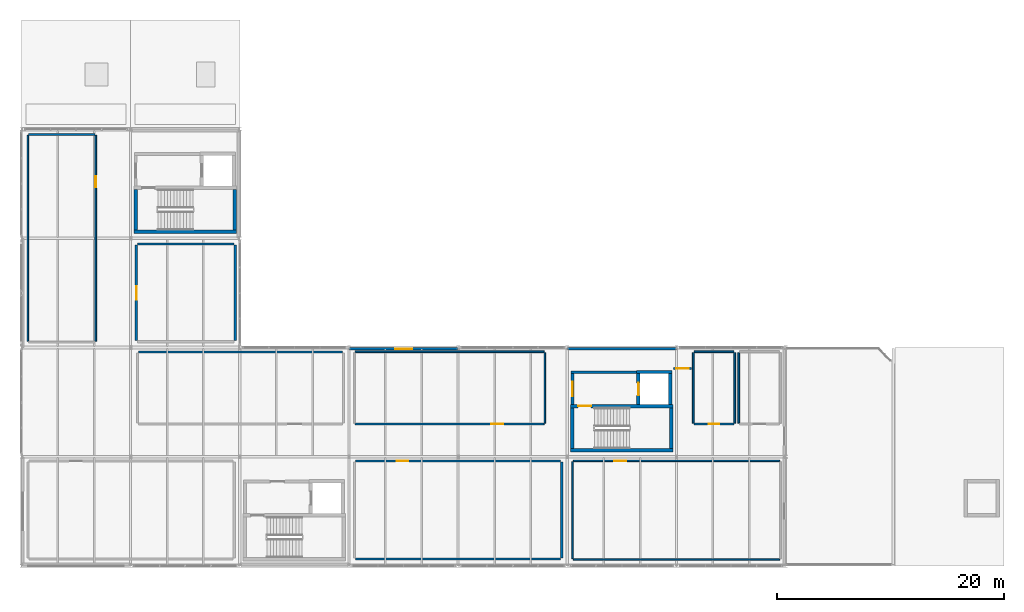
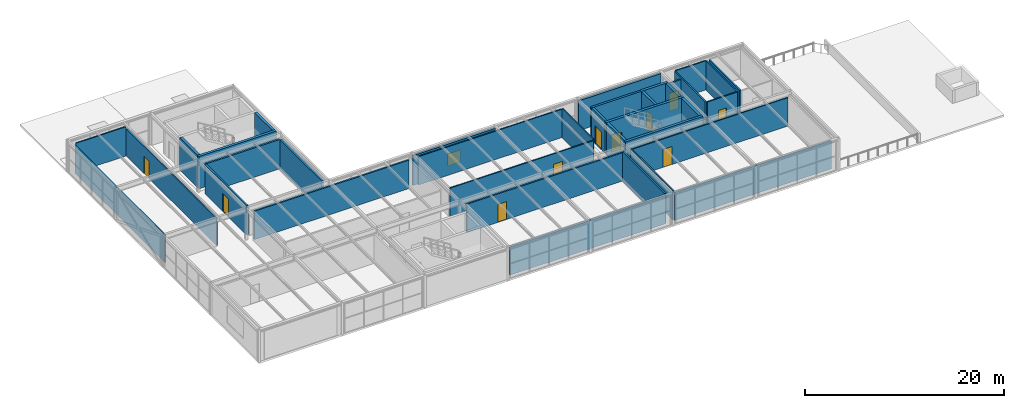
# One storey, part 35 of 39: 36 walls, 10 doors, 1 window, 11 openings.
"""IFC4 building model written with IfcOpenShell, lengths in metres."""

from ifc_helpers import new_model, si_unit, direction, frame, frame_2d, origin, place, context, subcontext, project, spatial, rectangle, extrude, material, layer, layer_set, type_object, element, fill, save


model = new_model("IFC4")

# Units and contexts
model_context = context("Model", 3, precision=1e-05, world=origin(), true_north=direction((0.0, 1.0)))
body_context = subcontext(model_context, "Body", "Model", "MODEL_VIEW")
ifc_project = project(units=[si_unit("LENGTHUNIT", "METRE"), si_unit("AREAUNIT", "SQUARE_METRE"), si_unit("VOLUMEUNIT", "CUBIC_METRE"), si_unit("PLANEANGLEUNIT", "RADIAN"), si_unit("MASSUNIT", "GRAM", prefix="KILO")], contexts=[model_context])

# Site, building, storey
site_placement = place(None, origin())
site = spatial("IfcSite", under=ifc_project, at=site_placement, CompositionType="ELEMENT")
building_placement = place(site_placement, origin())
building = spatial("IfcBuilding", under=site, at=building_placement, Name="Coralgate Yard Interchange", CompositionType="ELEMENT")
storey_placement = place(building_placement, frame((0.0, 0.0, 18.89990234375)))
storey = spatial("IfcBuildingStorey", under=building, at=storey_placement, Name="L04", CompositionType="ELEMENT", Elevation=18.89990234375)

# Walls
ifc_material_1 = material(Name="Concrete C40/50", Category="concrete")
ifc_layer_1 = layer(ifc_material_1, 0.300048828125)
ifc_layer_set_1 = layer_set([ifc_layer_1], Name="Concrete C40/50")
wall_type_1 = type_object("IfcWallType", Name="WAL-CW300", PredefinedType="SHEAR", material=ifc_layer_set_1)
wall_1_placement = place(storey_placement, frame((9.89990234375, 29.3701171875, 0.0), z_axis=(0.0, 0.0, 1.0), x_axis=(1.0, 0.0, 0.0)))
element("IfcWall", 1, at=wall_1_placement, inside=storey, type_object=wall_type_1, Name="C1 L04 stair south shear wall", PredefinedType="SHEAR", context=body_context, shape_type="SweptSolid", body=[
    extrude(rectangle(XDim=9.0, YDim=0.300048828125, at=frame_2d((4.5, 0.0))), origin(), (0.0, 0.0, 1.0), 3.9501953125),
])
for number, where, z_axis, x_axis, name in (
    (2, (10.050048828125, 29.52001953125, 0.0), (0.0, 0.0, 1.0), (0.0, 1.0, 0.0), "C1 L04 stair west shear wall"),
    (3, (18.75, 33.10009765625, 0.0), (0.0, 0.0, 1.0), (0.0, -1.0, 0.0), "C1 L04 stair east shear wall"),
):
    element("IfcWall", number, at=place(storey_placement, frame(where, z_axis=z_axis, x_axis=x_axis)), inside=storey, type_object=wall_type_1, Name=name, PredefinedType="SHEAR", context=body_context, shape_type="SweptSolid", body=[
        extrude(rectangle(XDim=3.580078125, YDim=0.300048828125, at=frame_2d((1.7900390625, 0.0))), origin(), (0.0, 0.0, 1.0), 3.9501953125),
    ])
wall_2_placement = place(storey_placement, frame((48.300048828125, 10.169921875, 0.0), z_axis=(0.0, 0.0, 1.0), x_axis=(1.0, 0.0, 0.0)))
element("IfcWall", 4, at=wall_2_placement, inside=storey, type_object=wall_type_1, Name="C2 L04 stair south shear wall", PredefinedType="SHEAR", context=body_context, shape_type="SweptSolid", body=[
    extrude(rectangle(XDim=9.0, YDim=0.300048828125, at=frame_2d((4.5, 0.0))), origin(), (0.0, 0.0, 1.0), 3.9501953125),
])

# Wall, opening, door
wall_3_placement = place(storey_placement, frame((57.300048828125, 14.050048828125, 0.0), z_axis=(0.0, 0.0, 1.0), x_axis=(-1.0, 0.0, 0.0)))
wall_3 = element("IfcWall", 5, at=wall_3_placement, inside=storey, type_object=wall_type_1, Name="C2 L04 stair north shear wall", PredefinedType="SHEAR", context=body_context, shape_type="SweptSolid", body=[
    extrude(rectangle(XDim=9.0, YDim=0.300048828125, at=frame_2d((4.5, 0.0))), origin(), (0.0, 0.0, 1.0), 3.9501953125),
])
opening_1_placement = place(wall_3_placement, frame((7.199951171875, 0.0, 0.0)))
opening_1 = element("IfcOpeningElement", 6, at=opening_1_placement, cuts=wall_3, Name="Opening FD-1B", PredefinedType="OPENING", context=body_context, shape_type="SweptSolid", body=[
    extrude(rectangle(XDim=1.14990234375, YDim=2.14990234375, at=frame_2d((0.574951171875, 1.074951171875))), frame((0.0, 0.159912109375, 0.0), z_axis=(0.0, -1.0, 0.0), x_axis=(1.0, 0.0, 0.0)), (0.0, 0.0, 1.0), 0.320068359375),
])
ifc_material_2 = material(Name="Powder-coated steel fire door assembly", Category="steel")
door_type_1 = type_object("IfcDoorType", Name="DOR-FD-1B", OperationType="NOTDEFINED", PredefinedType="DOOR", material=ifc_material_2)
door_1_placement = place(opening_1_placement, frame((1.14990234375, 0.0, 0.0), z_axis=(0.0, 0.0, 1.0), x_axis=(-1.0, 0.0, 0.0)))
door_1 = element("IfcDoor", 7, at=door_1_placement, inside=storey, type_object=door_type_1, Name="C2 L04 stair fire door", OperationType="SINGLE_SWING_RIGHT", OverallHeight=2.14990234375, OverallWidth=1.14990234375, PredefinedType="DOOR", context=body_context, shape_type="SweptSolid", body=[
    extrude(rectangle(XDim=1.14990234375, YDim=2.14990234375, at=frame_2d((0.574951171875, 1.074951171875))), frame((0.0, 0.02490234375, 0.0), z_axis=(0.0, -1.0, 0.0), x_axis=(1.0, 0.0, 0.0)), (0.0, 0.0, 1.0), 0.050048828125),
])
fill(opening_1, door_1)

# Walls
for number, where, z_axis, x_axis, name in (
    (8, (48.449951171875, 10.320068359375, 0.0), (0.0, 0.0, 1.0), (0.0, 1.0, 0.0), "C2 L04 stair west shear wall"),
    (9, (57.14990234375, 13.89990234375, 0.0), (0.0, 0.0, 1.0), (0.0, -1.0, 0.0), "C2 L04 stair east shear wall"),
):
    element("IfcWall", number, at=place(storey_placement, frame(where, z_axis=z_axis, x_axis=x_axis)), inside=storey, type_object=wall_type_1, Name=name, PredefinedType="SHEAR", context=body_context, shape_type="SweptSolid", body=[
        extrude(rectangle(XDim=3.579833984375, YDim=0.300048828125, at=frame_2d((1.7900390625, 0.0))), origin(), (0.0, 0.0, 1.0), 3.9501953125),
    ])

# Wall, opening, door
wall_4_placement = place(storey_placement, frame((54.25, 16.89990234375, 0.0), z_axis=(0.0, 0.0, 1.0), x_axis=(0.0, -1.0, 0.0)))
wall_4 = element("IfcWall", 10, at=wall_4_placement, inside=storey, type_object=wall_type_1, Name="C2 L04 lift front shear wall", PredefinedType="SHEAR", context=body_context, shape_type="SweptSolid", body=[
    extrude(rectangle(XDim=2.699951171875, YDim=0.300048828125, at=frame_2d((1.35009765625, 0.0))), origin(), (0.0, 0.0, 1.0), 3.9501953125),
])
opening_2_placement = place(wall_4_placement, frame((0.800048828125, 0.0, 0.0)))
opening_2 = element("IfcOpeningElement", 11, at=opening_2_placement, cuts=wall_4, Name="Opening LD-1", PredefinedType="OPENING", context=body_context, shape_type="SweptSolid", body=[
    extrude(rectangle(XDim=1.10009765625, YDim=2.10009765625, at=frame_2d((0.550048828125, 1.050048828125))), frame((0.0, 0.159912109375, 0.0), z_axis=(0.0, -1.0, 0.0), x_axis=(1.0, 0.0, 0.0)), (0.0, 0.0, 1.0), 0.320068359375),
])
ifc_material_3 = material(Name="Brushed stainless steel firefighting lift landing door", Category="steel")
door_type_2 = type_object("IfcDoorType", Name="DOR-LD-1", OperationType="DOUBLE_DOOR_SLIDING", PredefinedType="DOOR", material=ifc_material_3)
door_2_placement = place(opening_2_placement, frame((1.10009765625, 0.0, 0.0), z_axis=(0.0, 0.0, 1.0), x_axis=(-1.0, 0.0, 0.0)))
door_2 = element("IfcDoor", 12, at=door_2_placement, inside=storey, type_object=door_type_2, Name="FFL-02 L04 sliding lift landing door", OperationType="DOUBLE_DOOR_SLIDING", OverallHeight=2.10009765625, OverallWidth=1.10009765625, PredefinedType="DOOR", context=body_context, shape_type="SweptSolid", body=[
    extrude(rectangle(XDim=1.10009765625, YDim=2.10009765625, at=frame_2d((0.550048828125, 1.050048828125))), frame((0.0, 0.02490234375, 0.0), z_axis=(0.0, -1.0, 0.0), x_axis=(1.0, 0.0, 0.0)), (0.0, 0.0, 1.0), 0.050048828125),
])
fill(opening_2, door_2)

# Walls
wall_5_placement = place(storey_placement, frame((57.050048828125, 14.199951171875, 0.0), z_axis=(0.0, 0.0, 1.0), x_axis=(0.0, 1.0, 0.0)))
element("IfcWall", 13, at=wall_5_placement, inside=storey, type_object=wall_type_1, Name="C2 L04 lift rear shear wall", PredefinedType="SHEAR", context=body_context, shape_type="SweptSolid", body=[
    extrude(rectangle(XDim=2.699951171875, YDim=0.300048828125, at=frame_2d((1.35009765625, 0.0))), origin(), (0.0, 0.0, 1.0), 3.9501953125),
])
wall_6_placement = place(storey_placement, frame((54.10009765625, 17.050048828125, 0.0), z_axis=(0.0, 0.0, 1.0), x_axis=(1.0, 0.0, 0.0)))
element("IfcWall", 14, at=wall_6_placement, inside=storey, type_object=wall_type_1, Name="C2 L04 lift north shear wall", PredefinedType="SHEAR", context=body_context, shape_type="SweptSolid", body=[
    extrude(rectangle(XDim=3.099853515625, YDim=0.300048828125, at=frame_2d((1.5498046875, 0.0))), origin(), (0.0, 0.0, 1.0), 3.9501953125),
])

# Wall, opening, window
ifc_material_4 = material(Name="Insulated rendered concrete blockwork", Category="masonry")
ifc_layer_2 = layer(ifc_material_4, 0.239990234375)
ifc_layer_set_2 = layer_set([ifc_layer_2], Name="Insulated rendered concrete blockwork")
wall_type_2 = type_object("IfcWallType", Name="WAL-EW-240", PredefinedType="SOLIDWALL", material=ifc_layer_set_2)
wall_7_placement = place(storey_placement, frame((28.820068359375, 19.080078125, 0.0), z_axis=(0.0, 0.0, 1.0), x_axis=(1.0, 0.0, 0.0)))
wall_7 = element("IfcWall", 15, at=wall_7_placement, inside=storey, type_object=wall_type_2, Name="L04 exterior coastal wall N 3-1", PredefinedType="SOLIDWALL", context=body_context, shape_type="SweptSolid", body=[
    extrude(rectangle(XDim=9.559814453125, YDim=0.239990234375, at=frame_2d((4.77978515625, 0.0))), origin(), (0.0, 0.0, 1.0), 3.66015625),
])
opening_3_placement = place(wall_7_placement, frame((4.030029296875, 0.0, 0.89990234375)))
opening_3 = element("IfcOpeningElement", 16, at=opening_3_placement, cuts=wall_7, Name="Opening W-07", PredefinedType="OPENING", context=body_context, shape_type="SweptSolid", body=[
    extrude(rectangle(XDim=1.5, YDim=1.5, at=frame_2d((0.75, 0.75))), frame((0.0, 0.1298828125, 0.0), z_axis=(0.0, -1.0, 0.0), x_axis=(1.0, 0.0, 0.0)), (0.0, 0.0, 1.0), 0.260009765625),
])
ifc_material_5 = material(Name="Thermally broken anodised aluminium and solar-control low-E glass", Category="aluminium")
window_type = type_object("IfcWindowType", Name="WIN-W-07", PartitioningType="SINGLE_PANEL", PredefinedType="WINDOW", material=ifc_material_5)
window_placement = place(opening_3_placement, origin())
window = element("IfcWindow", 17, at=window_placement, inside=storey, type_object=window_type, Name="L04 coastal facade window N-3-1", OverallHeight=1.5, OverallWidth=1.5, PartitioningType="SINGLE_PANEL", PredefinedType="WINDOW", context=body_context, shape_type="SweptSolid", body=[
    extrude(rectangle(XDim=1.5, YDim=1.5, at=frame_2d((0.75, 0.75))), frame((0.0, 0.030029296875, 0.0), z_axis=(0.0, -1.0, 0.0), x_axis=(1.0, 0.0, 0.0)), (0.0, 0.0, 1.0), 0.06005859375),
])
fill(opening_3, window)

# Walls
wall_8_placement = place(storey_placement, frame((48.02001953125, 19.080078125, 0.0), z_axis=(0.0, 0.0, 1.0), x_axis=(1.0, 0.0, 0.0)))
element("IfcWall", 18, at=wall_8_placement, inside=storey, type_object=wall_type_2, Name="L04 exterior coastal wall N 5-1", PredefinedType="SOLIDWALL", context=body_context, shape_type="SweptSolid", body=[
    extrude(rectangle(XDim=9.56005859375, YDim=0.239990234375, at=frame_2d((4.780029296875, 0.0))), origin(), (0.0, 0.0, 1.0), 3.66015625),
])
ifc_material_6 = material(Name="Acoustic twin-stud office partition")
ifc_layer_3 = layer(ifc_material_6, 0.139892578125)
ifc_layer_set_3 = layer_set([ifc_layer_3], Name="Acoustic twin-stud office partition")
wall_type_3 = type_object("IfcWallType", Name="WAL-PW-140", PredefinedType="PARTITIONING", material=ifc_layer_set_3)
wall_9_placement = place(storey_placement, frame((66.659912109375, 0.570068359375, 0.0), z_axis=(0.0, 0.0, 1.0), x_axis=(-1.0, 0.0, 0.0)))
element("IfcWall", 19, at=wall_9_placement, inside=storey, type_object=wall_type_3, Name="Signalling and Safety Training Classroom 01 partition S", PredefinedType="PARTITIONING", context=body_context, shape_type="SweptSolid", body=[
    extrude(rectangle(XDim=18.119873046875, YDim=0.139892578125, at=frame_2d((9.06005859375, 0.0))), origin(), (0.0, 0.0, 1.0), 3.483154296875),
])

# Wall, opening, door
wall_10_placement = place(storey_placement, frame((48.5400390625, 9.22998046875, 0.0), z_axis=(0.0, 0.0, 1.0), x_axis=(1.0, 0.0, 0.0)))
wall_10 = element("IfcWall", 20, at=wall_10_placement, inside=storey, type_object=wall_type_3, Name="Signalling and Safety Training Classroom 01 partition N", PredefinedType="PARTITIONING", context=body_context, shape_type="SweptSolid", body=[
    extrude(rectangle(XDim=18.119873046875, YDim=0.139892578125, at=frame_2d((9.06005859375, 0.0))), origin(), (0.0, 0.0, 1.0), 3.483154296875),
])
opening_4_placement = place(wall_10_placement, frame((3.60009765625, 0.0, 0.0)))
opening_4 = element("IfcOpeningElement", 21, at=opening_4_placement, cuts=wall_10, Name="Opening ID-03", PredefinedType="OPENING", context=body_context, shape_type="SweptSolid", body=[
    extrude(rectangle(XDim=1.050048828125, YDim=2.199951171875, at=frame_2d((0.52490234375, 1.10009765625))), frame((0.0, 0.079833984375, 0.0), z_axis=(0.0, -1.0, 0.0), x_axis=(1.0, 0.0, 0.0)), (0.0, 0.0, 1.0), 0.159912109375),
])
ifc_material_7 = material(Name="Acoustic laminated timber classroom door", Category="wood")
door_type_3 = type_object("IfcDoorType", Name="DOR-ID-03", OperationType="NOTDEFINED", PredefinedType="DOOR", material=ifc_material_7)
door_3_placement = place(opening_4_placement, origin())
door_3 = element("IfcDoor", 22, at=door_3_placement, inside=storey, type_object=door_type_3, Name="Signalling and Safety Training Classroom 01 door", OperationType="SINGLE_SWING_RIGHT", OverallHeight=2.199951171875, OverallWidth=1.050048828125, PredefinedType="DOOR", context=body_context, shape_type="SweptSolid", body=[
    extrude(rectangle(XDim=1.050048828125, YDim=2.199951171875, at=frame_2d((0.52490234375, 1.10009765625))), frame((0.0, 0.02490234375, 0.0), z_axis=(0.0, -1.0, 0.0), x_axis=(1.0, 0.0, 0.0)), (0.0, 0.0, 1.0), 0.050048828125),
])
fill(opening_4, door_3)

# Wall
wall_11_placement = place(storey_placement, frame((48.469970703125, 0.639892578125, 0.0), z_axis=(0.0, 0.0, 1.0), x_axis=(0.0, 1.0, 0.0)))
element("IfcWall", 23, at=wall_11_placement, inside=storey, type_object=wall_type_3, Name="Signalling and Safety Training Classroom 01 partition W", PredefinedType="PARTITIONING", context=body_context, shape_type="SweptSolid", body=[
    extrude(rectangle(XDim=8.52001953125, YDim=0.139892578125, at=frame_2d((4.260009765625, 0.0))), origin(), (0.0, 0.0, 1.0), 3.590087890625),
])

# Wall, opening, door
wall_12_placement = place(storey_placement, frame((45.9599609375, 12.469970703125, 0.0), z_axis=(0.0, 0.0, 1.0), x_axis=(-1.0, 0.0, 0.0)))
wall_12 = element("IfcWall", 24, at=wall_12_placement, inside=storey, type_object=wall_type_3, Name="Operations Training Classroom 02 partition S", PredefinedType="PARTITIONING", context=body_context, shape_type="SweptSolid", body=[
    extrude(rectangle(XDim=16.619873046875, YDim=0.139892578125, at=frame_2d((8.31005859375, 0.0))), origin(), (0.0, 0.0, 1.0), 3.483154296875),
])
opening_5_placement = place(wall_12_placement, frame((3.60009765625, 0.0, 0.0)))
opening_5 = element("IfcOpeningElement", 25, at=opening_5_placement, cuts=wall_12, Name="Opening ID-03", PredefinedType="OPENING", context=body_context, shape_type="SweptSolid", body=[
    extrude(rectangle(XDim=1.050048828125, YDim=2.199951171875, at=frame_2d((0.52490234375, 1.10009765625))), frame((0.0, 0.079833984375, 0.0), z_axis=(0.0, -1.0, 0.0), x_axis=(1.0, 0.0, 0.0)), (0.0, 0.0, 1.0), 0.159912109375),
])
door_4_placement = place(opening_5_placement, frame((1.050048828125, 0.0, 0.0), z_axis=(0.0, 0.0, 1.0), x_axis=(-1.0, 0.0, 0.0)))
door_4 = element("IfcDoor", 26, at=door_4_placement, inside=storey, type_object=door_type_3, Name="Operations Training Classroom 02 door", OperationType="SINGLE_SWING_LEFT", OverallHeight=2.199951171875, OverallWidth=1.050048828125, PredefinedType="DOOR", context=body_context, shape_type="SweptSolid", body=[
    extrude(rectangle(XDim=1.050048828125, YDim=2.199951171875, at=frame_2d((0.52490234375, 1.10009765625))), frame((0.0, 0.02490234375, 0.0), z_axis=(0.0, -1.0, 0.0), x_axis=(1.0, 0.0, 0.0)), (0.0, 0.0, 1.0), 0.050048828125),
])
fill(opening_5, door_4)

# Walls
wall_13_placement = place(storey_placement, frame((29.340087890625, 18.830078125, 0.0), z_axis=(0.0, 0.0, 1.0), x_axis=(1.0, 0.0, 0.0)))
element("IfcWall", 27, at=wall_13_placement, inside=storey, type_object=wall_type_3, Name="Operations Training Classroom 02 partition N", PredefinedType="PARTITIONING", context=body_context, shape_type="SweptSolid", body=[
    extrude(rectangle(XDim=16.619873046875, YDim=0.139892578125, at=frame_2d((8.31005859375, 0.0))), origin(), (0.0, 0.0, 1.0), 3.483154296875),
])
wall_14_placement = place(storey_placement, frame((46.030029296875, 18.760009765625, 0.0), z_axis=(0.0, 0.0, 1.0), x_axis=(0.0, -1.0, 0.0)))
element("IfcWall", 28, at=wall_14_placement, inside=storey, type_object=wall_type_3, Name="Operations Training Classroom 02 partition E", PredefinedType="PARTITIONING", context=body_context, shape_type="SweptSolid", body=[
    extrude(rectangle(XDim=6.219970703125, YDim=0.139892578125, at=frame_2d((3.10986328125, 0.0))), origin(), (0.0, 0.0, 1.0), 3.590087890625),
])
wall_15_placement = place(storey_placement, frame((0.639892578125, 37.929931640625, 0.0), z_axis=(0.0, 0.0, 1.0), x_axis=(1.0, 0.0, 0.0)))
element("IfcWall", 29, at=wall_15_placement, inside=storey, type_object=wall_type_3, Name="Transit Technical Library and Study Room partition N", PredefinedType="PARTITIONING", context=body_context, shape_type="SweptSolid", body=[
    extrude(rectangle(XDim=5.820068359375, YDim=0.139892578125, at=frame_2d((2.91015625, 0.0))), origin(), (0.0, 0.0, 1.0), 3.590087890625),
])
wall_16_placement = place(storey_placement, frame((0.570068359375, 19.739990234375, 0.0), z_axis=(0.0, 0.0, 1.0), x_axis=(0.0, 1.0, 0.0)))
element("IfcWall", 30, at=wall_16_placement, inside=storey, type_object=wall_type_3, Name="Transit Technical Library and Study Room partition W", PredefinedType="PARTITIONING", context=body_context, shape_type="SweptSolid", body=[
    extrude(rectangle(XDim=18.1201171875, YDim=0.139892578125, at=frame_2d((9.06005859375, 0.0))), origin(), (0.0, 0.0, 1.0), 3.33251953125),
])

# Wall, opening, door
wall_17_placement = place(storey_placement, frame((6.530029296875, 37.860107421875, 0.0), z_axis=(0.0, 0.0, 1.0), x_axis=(0.0, -1.0, 0.0)))
wall_17 = element("IfcWall", 31, at=wall_17_placement, inside=storey, type_object=wall_type_3, Name="Transit Technical Library and Study Room partition E", PredefinedType="PARTITIONING", context=body_context, shape_type="SweptSolid", body=[
    extrude(rectangle(XDim=18.1201171875, YDim=0.139892578125, at=frame_2d((9.06005859375, 0.0))), origin(), (0.0, 0.0, 1.0), 3.33251953125),
])
opening_6_placement = place(wall_17_placement, frame((3.60009765625, 0.0, 0.0)))
opening_6 = element("IfcOpeningElement", 32, at=opening_6_placement, cuts=wall_17, Name="Opening ID-01", PredefinedType="OPENING", context=body_context, shape_type="SweptSolid", body=[
    extrude(rectangle(XDim=0.949951171875, YDim=2.14990234375, at=frame_2d((0.47509765625, 1.074951171875))), frame((0.0, 0.079833984375, 0.0), z_axis=(0.0, -1.0, 0.0), x_axis=(1.0, 0.0, 0.0)), (0.0, 0.0, 1.0), 0.159912109375),
])
ifc_material_8 = material(Name="Solid-core hardwood timber office door", Category="wood")
door_type_4 = type_object("IfcDoorType", Name="DOR-ID-01", OperationType="NOTDEFINED", PredefinedType="DOOR", material=ifc_material_8)
door_5_placement = place(opening_6_placement, frame((0.949951171875, 0.0, 0.0), z_axis=(0.0, 0.0, 1.0), x_axis=(-1.0, 0.0, 0.0)))
door_5 = element("IfcDoor", 33, at=door_5_placement, inside=storey, type_object=door_type_4, Name="Transit Technical Library and Study Room door", OperationType="SINGLE_SWING_RIGHT", OverallHeight=2.14990234375, OverallWidth=0.949951171875, PredefinedType="DOOR", context=body_context, shape_type="SweptSolid", body=[
    extrude(rectangle(XDim=0.949951171875, YDim=2.14990234375, at=frame_2d((0.47509765625, 1.074951171875))), frame((0.0, 0.02490234375, 0.0), z_axis=(0.0, -1.0, 0.0), x_axis=(1.0, 0.0, 0.0)), (0.0, 0.0, 1.0), 0.050048828125),
])
fill(opening_6, door_5)

ifc_material_9 = material(Name="Moisture-resistant masonry washroom wall", Category="masonry")
ifc_layer_4 = layer(ifc_material_9, 0.14990234375)
ifc_layer_set_4 = layer_set([ifc_layer_4], Name="Moisture-resistant masonry washroom wall")
wall_type_4 = type_object("IfcWallType", Name="WAL-PW-150", PredefinedType="PLUMBINGWALL", material=ifc_layer_set_4)
wall_18_placement = place(storey_placement, frame((62.64990234375, 12.47509765625, 0.0), z_axis=(0.0, 0.0, 1.0), x_axis=(-1.0, 0.0, 0.0)))
wall_18 = element("IfcWall", 34, at=wall_18_placement, inside=storey, type_object=wall_type_4, Name="L04 Training Floor Washroom partition S", PredefinedType="PLUMBINGWALL", context=body_context, shape_type="SweptSolid", body=[
    extrude(rectangle(XDim=3.5, YDim=0.14990234375, at=frame_2d((1.75, 0.0))), origin(), (0.0, 0.0, 1.0), 3.590087890625),
])
opening_7_placement = place(wall_18_placement, frame((1.300048828125, 0.0, 0.0)))
opening_7 = element("IfcOpeningElement", 35, at=opening_7_placement, cuts=wall_18, Name="Opening ID-10", PredefinedType="OPENING", context=body_context, shape_type="SweptSolid", body=[
    extrude(rectangle(XDim=0.89990234375, YDim=2.10009765625, at=frame_2d((0.449951171875, 1.050048828125))), frame((0.0, 0.0849609375, 0.0), z_axis=(0.0, -1.0, 0.0), x_axis=(1.0, 0.0, 0.0)), (0.0, 0.0, 1.0), 0.169921875),
])
ifc_material_10 = material(Name="Moisture-resistant laminate washroom door")
door_type_5 = type_object("IfcDoorType", Name="DOR-ID-10", OperationType="NOTDEFINED", PredefinedType="DOOR", material=ifc_material_10)
door_6_placement = place(opening_7_placement, frame((0.89990234375, 0.0, 0.0), z_axis=(0.0, 0.0, 1.0), x_axis=(-1.0, 0.0, 0.0)))
door_6 = element("IfcDoor", 36, at=door_6_placement, inside=storey, type_object=door_type_5, Name="L04 Training Floor Washroom door", OperationType="SINGLE_SWING_LEFT", OverallHeight=2.10009765625, OverallWidth=0.89990234375, PredefinedType="DOOR", context=body_context, shape_type="SweptSolid", body=[
    extrude(rectangle(XDim=0.89990234375, YDim=2.10009765625, at=frame_2d((0.449951171875, 1.050048828125))), frame((0.0, 0.02490234375, 0.0), z_axis=(0.0, -1.0, 0.0), x_axis=(1.0, 0.0, 0.0)), (0.0, 0.0, 1.0), 0.050048828125),
])
fill(opening_7, door_6)

# Walls
wall_19_placement = place(storey_placement, frame((59.14990234375, 18.824951171875, 0.0), z_axis=(0.0, 0.0, 1.0), x_axis=(1.0, 0.0, 0.0)))
element("IfcWall", 37, at=wall_19_placement, inside=storey, type_object=wall_type_4, Name="L04 Training Floor Washroom partition N", PredefinedType="PLUMBINGWALL", context=body_context, shape_type="SweptSolid", body=[
    extrude(rectangle(XDim=3.5, YDim=0.14990234375, at=frame_2d((1.75, 0.0))), origin(), (0.0, 0.0, 1.0), 3.590087890625),
])
for number, where, z_axis, x_axis, name in (
    (38, (59.074951171875, 12.550048828125, 0.0), (0.0, 0.0, 1.0), (0.0, 1.0, 0.0), "L04 Training Floor Washroom partition W"),
    (39, (62.72509765625, 18.75, 0.0), (0.0, 0.0, 1.0), (0.0, -1.0, 0.0), "L04 Training Floor Washroom partition E"),
    (40, (63.074951171875, 12.550048828125, 0.0), (0.0, 0.0, 1.0), (0.0, 1.0, 0.0), "L04 Accessible WC partition W"),
):
    element("IfcWall", number, at=place(storey_placement, frame(where, z_axis=z_axis, x_axis=x_axis)), inside=storey, type_object=wall_type_4, Name=name, PredefinedType="PLUMBINGWALL", context=body_context, shape_type="SweptSolid", body=[
        extrude(rectangle(XDim=6.199951171875, YDim=0.14990234375, at=frame_2d((3.10009765625, 0.0))), origin(), (0.0, 0.0, 1.0), 3.590087890625),
    ])

# Wall, opening, door
ifc_material_11 = material(Name="Fire-rated twin-stud gypsum partition")
ifc_layer_5 = layer(ifc_material_11, 0.159912109375)
ifc_layer_set_5 = layer_set([ifc_layer_5], Name="Fire-rated twin-stud gypsum partition")
wall_type_5 = type_object("IfcWallType", Name="WAL-PW-160", PredefinedType="PARTITIONING", material=ifc_layer_set_5)
wall_20_placement = place(storey_placement, frame((57.320068359375, 17.360107421875, 0.0), z_axis=(0.0, 0.0, 1.0), x_axis=(1.0, 0.0, 0.0)))
wall_20 = element("IfcWall", 41, at=wall_20_placement, inside=storey, type_object=wall_type_5, Name="L04 East Training Wing Corridor smoke-stop partition", PredefinedType="PARTITIONING", context=body_context, shape_type="SweptSolid", body=[
    extrude(rectangle(XDim=1.599853515625, YDim=0.159912109375, at=frame_2d((0.7998046875, 0.0))), origin(), (0.0, 0.0, 1.0), 3.483154296875),
])
opening_8_placement = place(wall_20_placement, frame((0.25, 0.0, 0.0)))
opening_8 = element("IfcOpeningElement", 42, at=opening_8_placement, cuts=wall_20, Name="Opening ID-04", PredefinedType="OPENING", context=body_context, shape_type="SweptSolid", body=[
    extrude(rectangle(XDim=1.10009765625, YDim=2.199951171875, at=frame_2d((0.550048828125, 1.10009765625))), frame((0.0, 0.08984375, 0.0), z_axis=(0.0, -1.0, 0.0), x_axis=(1.0, 0.0, 0.0)), (0.0, 0.0, 1.0), 0.179931640625),
])
ifc_material_12 = material(Name="Fire-resisting acoustic timber corridor door", Category="wood")
door_type_6 = type_object("IfcDoorType", Name="DOR-ID-04", OperationType="NOTDEFINED", PredefinedType="DOOR", material=ifc_material_12)
door_7_placement = place(opening_8_placement, origin())
door_7 = element("IfcDoor", 43, at=door_7_placement, inside=storey, type_object=door_type_6, Name="L04 East Training Wing Corridor smoke-stop fire door", OperationType="SINGLE_SWING_LEFT", OverallHeight=2.199951171875, OverallWidth=1.10009765625, PredefinedType="DOOR", context=body_context, shape_type="SweptSolid", body=[
    extrude(rectangle(XDim=1.10009765625, YDim=2.199951171875, at=frame_2d((0.550048828125, 1.10009765625))), frame((0.0, 0.02490234375, 0.0), z_axis=(0.0, -1.0, 0.0), x_axis=(1.0, 0.0, 0.0)), (0.0, 0.0, 1.0), 0.050048828125),
])
fill(opening_8, door_7)

# Wall
ifc_material_13 = material(Name="Acoustic concrete blockwork", Category="masonry")
ifc_layer_6 = layer(ifc_material_13, 0.179931640625)
ifc_layer_set_6 = layer_set([ifc_layer_6], Name="Acoustic concrete blockwork")
wall_type_6 = type_object("IfcWallType", Name="WAL-PW-180", PredefinedType="PARTITIONING", material=ifc_layer_set_6)
wall_21_placement = place(storey_placement, frame((47.419921875, 0.590087890625, 0.0), z_axis=(0.0, 0.0, 1.0), x_axis=(-1.0, 0.0, 0.0)))
element("IfcWall", 44, at=wall_21_placement, inside=storey, type_object=wall_type_6, Name="Articulated Bus Simulator Studio partition S", PredefinedType="PARTITIONING", context=body_context, shape_type="SweptSolid", body=[
    extrude(rectangle(XDim=18.0400390625, YDim=0.179931640625, at=frame_2d((9.02001953125, 0.0))), origin(), (0.0, 0.0, 1.0), 3.483154296875),
])

# Wall, opening, door
wall_22_placement = place(storey_placement, frame((29.3798828125, 9.2099609375, 0.0), z_axis=(0.0, 0.0, 1.0), x_axis=(1.0, 0.0, 0.0)))
wall_22 = element("IfcWall", 45, at=wall_22_placement, inside=storey, type_object=wall_type_6, Name="Articulated Bus Simulator Studio partition N", PredefinedType="PARTITIONING", context=body_context, shape_type="SweptSolid", body=[
    extrude(rectangle(XDim=18.0400390625, YDim=0.179931640625, at=frame_2d((9.02001953125, 0.0))), origin(), (0.0, 0.0, 1.0), 3.483154296875),
])
opening_9_placement = place(wall_22_placement, frame((3.60009765625, 0.0, 0.0)))
opening_9 = element("IfcOpeningElement", 46, at=opening_9_placement, cuts=wall_22, Name="Opening ID-13", PredefinedType="OPENING", context=body_context, shape_type="SweptSolid", body=[
    extrude(rectangle(XDim=1.02001953125, YDim=2.199951171875, at=frame_2d((0.510009765625, 1.10009765625))), frame((0.0, 0.099853515625, 0.0), z_axis=(0.0, -1.0, 0.0), x_axis=(1.0, 0.0, 0.0)), (0.0, 0.0, 1.0), 0.199951171875),
])
ifc_material_14 = material(Name="Acoustic timber simulator room door", Category="wood")
door_type_7 = type_object("IfcDoorType", Name="DOR-ID-13", OperationType="NOTDEFINED", PredefinedType="DOOR", material=ifc_material_14)
door_8_placement = place(opening_9_placement, origin())
door_8 = element("IfcDoor", 47, at=door_8_placement, inside=storey, type_object=door_type_7, Name="Articulated Bus Simulator Studio door", OperationType="SINGLE_SWING_LEFT", OverallHeight=2.199951171875, OverallWidth=1.02001953125, PredefinedType="DOOR", context=body_context, shape_type="SweptSolid", body=[
    extrude(rectangle(XDim=1.02001953125, YDim=2.199951171875, at=frame_2d((0.510009765625, 1.10009765625))), frame((0.0, 0.02490234375, 0.0), z_axis=(0.0, -1.0, 0.0), x_axis=(1.0, 0.0, 0.0)), (0.0, 0.0, 1.0), 0.050048828125),
])
fill(opening_9, door_8)

# Walls
wall_23_placement = place(storey_placement, frame((47.510009765625, 9.1201171875, 0.0), z_axis=(0.0, 0.0, 1.0), x_axis=(0.0, -1.0, 0.0)))
element("IfcWall", 48, at=wall_23_placement, inside=storey, type_object=wall_type_6, Name="Articulated Bus Simulator Studio partition E", PredefinedType="PARTITIONING", context=body_context, shape_type="SweptSolid", body=[
    extrude(rectangle(XDim=8.440185546875, YDim=0.179931640625, at=frame_2d((4.22021484375, 0.0))), origin(), (0.0, 0.0, 1.0), 3.590087890625),
])
wall_24_placement = place(storey_placement, frame((10.280029296875, 18.81005859375, 0.0), z_axis=(0.0, 0.0, 1.0), x_axis=(1.0, 0.0, 0.0)))
element("IfcWall", 49, at=wall_24_placement, inside=storey, type_object=wall_type_6, Name="Training Network Server Room partition N", PredefinedType="PARTITIONING", context=body_context, shape_type="SweptSolid", body=[
    extrude(rectangle(XDim=17.93994140625, YDim=0.179931640625, at=frame_2d((8.969970703125, 0.0))), origin(), (0.0, 0.0, 1.0), 3.483154296875),
])
ifc_material_15 = material(Name="Concrete blockwork masonry", Category="masonry")
ifc_layer_7 = layer(ifc_material_15, 0.199951171875)
ifc_layer_set_7 = layer_set([ifc_layer_7], Name="Concrete blockwork masonry")
wall_type_7 = type_object("IfcWallType", Name="WAL-PW-200", PredefinedType="PARTITIONING", material=ifc_layer_set_7)
wall_25_placement = place(storey_placement, frame((10.199951171875, 28.300048828125, 0.0), z_axis=(0.0, 0.0, 1.0), x_axis=(1.0, 0.0, 0.0)))
element("IfcWall", 50, at=wall_25_placement, inside=storey, type_object=wall_type_7, Name="Engineering Drawings and Records Archive partition N", PredefinedType="PARTITIONING", context=body_context, shape_type="SweptSolid", body=[
    extrude(rectangle(XDim=8.5, YDim=0.199951171875, at=frame_2d((4.25, 0.0))), origin(), (0.0, 0.0, 1.0), 3.590087890625),
])

# Wall, opening, door
wall_26_placement = place(storey_placement, frame((10.10009765625, 19.800048828125, 0.0), z_axis=(0.0, 0.0, 1.0), x_axis=(0.0, 1.0, 0.0)))
wall_26 = element("IfcWall", 51, at=wall_26_placement, inside=storey, type_object=wall_type_7, Name="Engineering Drawings and Records Archive partition W", PredefinedType="PARTITIONING", context=body_context, shape_type="SweptSolid", body=[
    extrude(rectangle(XDim=8.39990234375, YDim=0.199951171875, at=frame_2d((4.199951171875, 0.0))), origin(), (0.0, 0.0, 1.0), 3.590087890625),
])
opening_10_placement = place(wall_26_placement, frame((3.60009765625, 0.0, 0.0)))
opening_10 = element("IfcOpeningElement", 52, at=opening_10_placement, cuts=wall_26, Name="Opening ID-05", PredefinedType="OPENING", context=body_context, shape_type="SweptSolid", body=[
    extrude(rectangle(XDim=1.199951171875, YDim=2.199951171875, at=frame_2d((0.60009765625, 1.10009765625))), frame((0.0, 0.10986328125, 0.0), z_axis=(0.0, -1.0, 0.0), x_axis=(1.0, 0.0, 0.0)), (0.0, 0.0, 1.0), 0.219970703125),
])
ifc_material_16 = material(Name="Powder-coated steel plant and store fire door", Category="steel")
door_type_8 = type_object("IfcDoorType", Name="DOR-ID-05", OperationType="NOTDEFINED", PredefinedType="DOOR", material=ifc_material_16)
door_9_placement = place(opening_10_placement, frame((1.199951171875, 0.0, 0.0), z_axis=(0.0, 0.0, 1.0), x_axis=(-1.0, 0.0, 0.0)))
door_9 = element("IfcDoor", 53, at=door_9_placement, inside=storey, type_object=door_type_8, Name="Engineering Drawings and Records Archive door", OperationType="SINGLE_SWING_LEFT", OverallHeight=2.199951171875, OverallWidth=1.199951171875, PredefinedType="DOOR", context=body_context, shape_type="SweptSolid", body=[
    extrude(rectangle(XDim=1.199951171875, YDim=2.199951171875, at=frame_2d((0.60009765625, 1.10009765625))), frame((0.0, 0.02490234375, 0.0), z_axis=(0.0, -1.0, 0.0), x_axis=(1.0, 0.0, 0.0)), (0.0, 0.0, 1.0), 0.050048828125),
])
fill(opening_10, door_9)

# Walls
wall_27_placement = place(storey_placement, frame((18.800048828125, 28.199951171875, 0.0), z_axis=(0.0, 0.0, 1.0), x_axis=(0.0, -1.0, 0.0)))
element("IfcWall", 54, at=wall_27_placement, inside=storey, type_object=wall_type_7, Name="Engineering Drawings and Records Archive partition E", PredefinedType="PARTITIONING", context=body_context, shape_type="SweptSolid", body=[
    extrude(rectangle(XDim=8.39990234375, YDim=0.199951171875, at=frame_2d((4.199951171875, 0.0))), origin(), (0.0, 0.0, 1.0), 3.590087890625),
])
ifc_layer_8 = layer(ifc_material_1, 0.25)
ifc_layer_set_8 = layer_set([ifc_layer_8], Name="Concrete C40/50")
wall_type_8 = type_object("IfcWallType", Name="WAL-SW250", PredefinedType="SHEAR", material=ifc_layer_set_8)
wall_28_placement = place(storey_placement, frame((54.10009765625, 17.02490234375, 0.0), z_axis=(0.0, 0.0, 1.0), x_axis=(-1.0, 0.0, 0.0)))
element("IfcWall", 55, at=wall_28_placement, inside=storey, type_object=wall_type_8, Name="C2 L04 lobby north fire wall", PredefinedType="SHEAR", context=body_context, shape_type="SweptSolid", body=[
    extrude(rectangle(XDim=5.775146484375, YDim=0.25, at=frame_2d((2.8876953125, 0.0))), origin(), (0.0, 0.0, 1.0), 3.9501953125),
])

# Wall, opening, door
wall_29_placement = place(storey_placement, frame((48.449951171875, 14.199951171875, 0.0), z_axis=(0.0, 0.0, 1.0), x_axis=(0.0, 1.0, 0.0)))
wall_29 = element("IfcWall", 56, at=wall_29_placement, inside=storey, type_object=wall_type_8, Name="C2 L04 lobby west fire wall", PredefinedType="SHEAR", context=body_context, shape_type="SweptSolid", body=[
    extrude(rectangle(XDim=2.699951171875, YDim=0.25, at=frame_2d((1.35009765625, 0.0))), origin(), (0.0, 0.0, 1.0), 3.9501953125),
])
opening_11_placement = place(wall_29_placement, frame((0.7099609375, 0.0, 0.0)))
opening_11 = element("IfcOpeningElement", 57, at=opening_11_placement, cuts=wall_29, Name="Opening FD-2B", PredefinedType="OPENING", context=body_context, shape_type="SweptSolid", body=[
    extrude(rectangle(XDim=1.280029296875, YDim=2.199951171875, at=frame_2d((0.64013671875, 1.10009765625))), frame((0.0, 0.135009765625, 0.0), z_axis=(0.0, -1.0, 0.0), x_axis=(1.0, 0.0, 0.0)), (0.0, 0.0, 1.0), 0.27001953125),
])
door_type_9 = type_object("IfcDoorType", Name="DOR-FD-2B", OperationType="NOTDEFINED", PredefinedType="DOOR", material=ifc_material_2)
door_10_placement = place(opening_11_placement, frame((1.280029296875, 0.0, 0.0), z_axis=(0.0, 0.0, 1.0), x_axis=(-1.0, 0.0, 0.0)))
door_10 = element("IfcDoor", 58, at=door_10_placement, inside=storey, type_object=door_type_9, Name="C2 L04 lobby fire door", OperationType="SINGLE_SWING_LEFT", OverallHeight=2.199951171875, OverallWidth=1.280029296875, PredefinedType="DOOR", context=body_context, shape_type="SweptSolid", body=[
    extrude(rectangle(XDim=1.280029296875, YDim=2.199951171875, at=frame_2d((0.64013671875, 1.10009765625))), frame((0.0, 0.02490234375, 0.0), z_axis=(0.0, -1.0, 0.0), x_axis=(1.0, 0.0, 0.0)), (0.0, 0.0, 1.0), 0.050048828125),
])
fill(opening_11, door_10)

save(model, "model.ifc")
